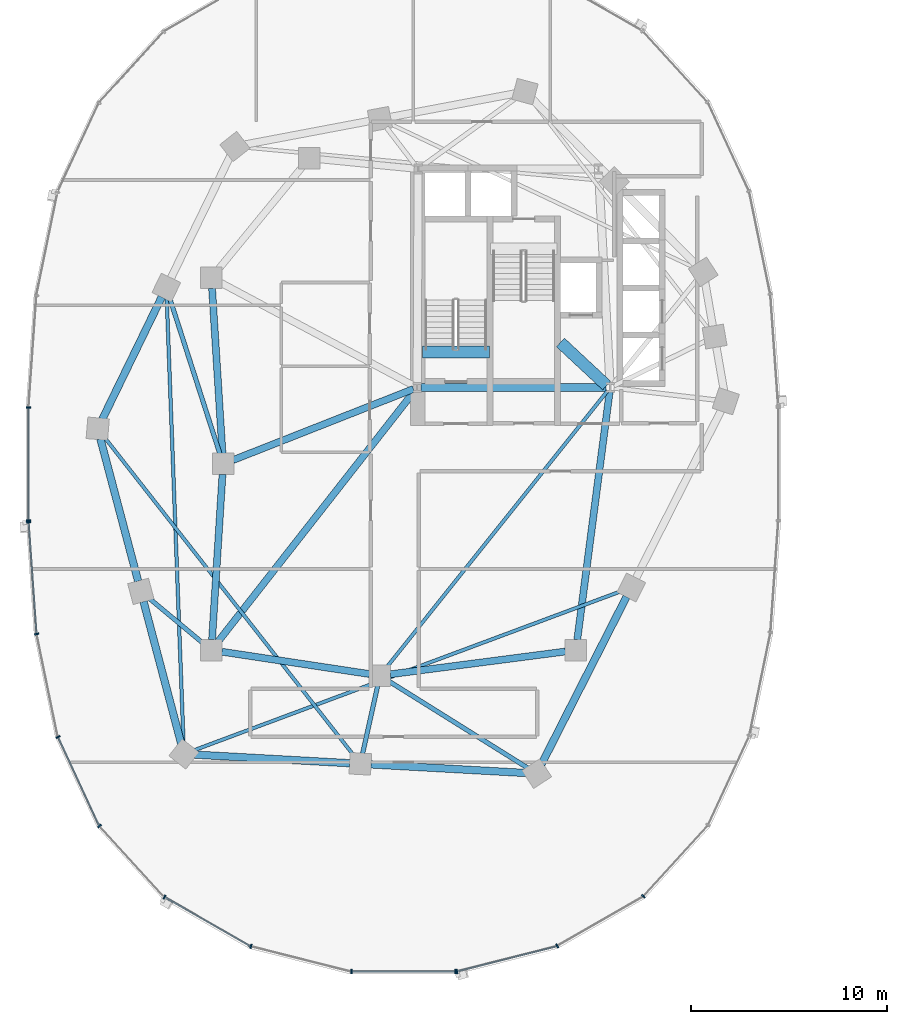
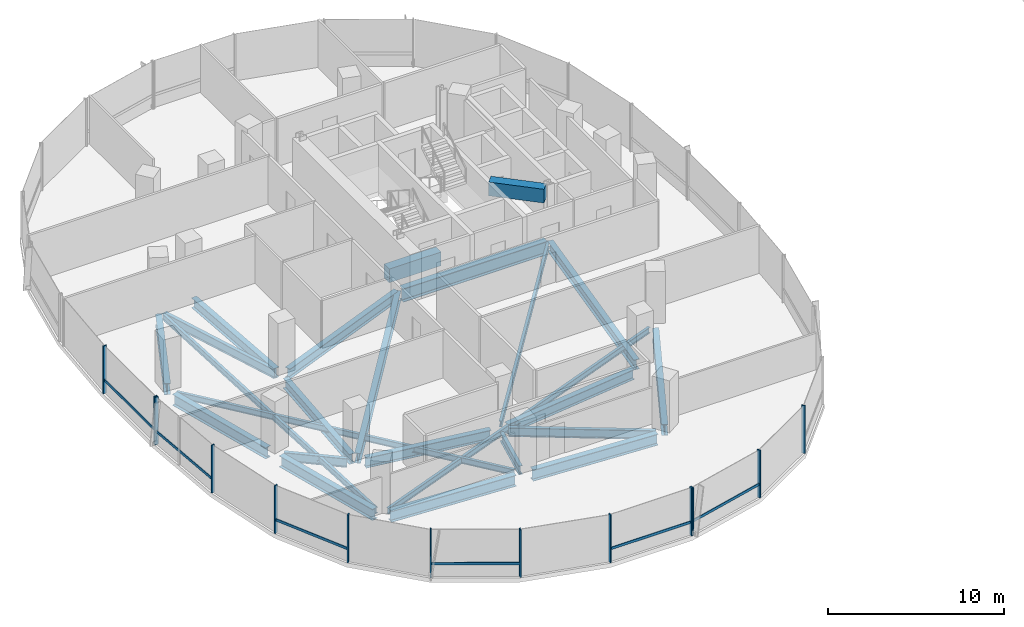
# One storey, part 2 of 21: 24 beams, 19 members, 3 elements without a shape of their own.
"""IFC4 building model written with IfcOpenShell, lengths in metres."""

from ifc_helpers import new_model, si_unit, direction, frame, origin, origin_2d, place, context, subcontext, project, spatial, rectangle, i_section, extrude, material, material_profile, profile_set, type_object, element, aggregate, save


model = new_model("IFC4")

# Units and contexts
model_context = context("Model", 3, precision=1e-05, world=origin(), true_north=direction((0.0, 1.0)))
body_context = subcontext(model_context, "Body", "Model", "MODEL_VIEW")
ifc_project = project(units=[si_unit("LENGTHUNIT", "METRE"), si_unit("AREAUNIT", "SQUARE_METRE"), si_unit("VOLUMEUNIT", "CUBIC_METRE"), si_unit("PLANEANGLEUNIT", "RADIAN"), si_unit("MASSUNIT", "GRAM", prefix="KILO"), si_unit("THERMODYNAMICTEMPERATUREUNIT", "KELVIN"), si_unit("POWERUNIT", "WATT")], contexts=[model_context])

# Site, building, storey
site_placement = place(None, origin())
site = spatial("IfcSite", under=ifc_project, at=site_placement, CompositionType="ELEMENT")
building_placement = place(site_placement, origin())
building = spatial("IfcBuilding", under=site, at=building_placement, Name="Cundina Bronze Exchange", CompositionType="ELEMENT")
storey_placement = place(building_placement, frame((0.0, 0.0, 117.800048828125)))
storey = spatial("IfcBuildingStorey", under=building, at=storey_placement, Name="L30", CompositionType="ELEMENT", Elevation=117.800048828125)

# Beams
ifc_material_1 = material(Name="Concrete C60/75", Category="concrete")
ifc_material_profile_1 = material_profile(ifc_material_1, rectangle(XDim=0.60009765625, YDim=0.949951171875, at=origin_2d()), Name="RC600X950", Category="concrete")
ifc_profile_set_1 = profile_set([ifc_material_profile_1], Name="Concrete C60/75")
beam_type_1 = type_object("IfcBeamType", Name="BM-COUP-RC950", PredefinedType="LINTEL", material=ifc_profile_set_1)
beam_1_placement = place(storey_placement, frame((-31.02001953125, 5.719970703125, -0.47509765625), z_axis=(1.0, 0.0, 0.0), x_axis=(0.0, 1.0, 0.0)))
element("IfcBeam", 1, at=beam_1_placement, inside=storey, type_object=beam_type_1, Name="L30 Stair W1 Landing Header Beam", PredefinedType="LINTEL", context=body_context, shape_type="SweptSolid", body=[
    extrude(rectangle(XDim=0.60009765625, YDim=0.949951171875, at=origin_2d()), origin(), (0.0, 0.0, 1.0), 3.39990234375),
])
beam_2_placement = place(storey_placement, frame((-23.989990234375, 6.199951171875, 2.824951171875), z_axis=(0.731490439815, -0.681851696822, 0.0), x_axis=(0.681851696822, 0.731490439815, 0.0)))
element("IfcBeam", 2, at=beam_2_placement, inside=storey, type_object=beam_type_1, Name="L30 W Core Shear Coupling Lintel Beam", PredefinedType="LINTEL", context=body_context, shape_type="SweptSolid", body=[
    extrude(rectangle(XDim=0.60009765625, YDim=0.949951171875, at=origin_2d()), origin(), (0.0, 0.0, 1.0), 3.226318359375),
])
ifc_material_2 = material(Name="Steel ASTM A992 Grade 50", Category="steel")
ifc_material_profile_2 = material_profile(ifc_material_2, i_section(OverallWidth=0.22998046875, OverallDepth=0.616943359375, WebThickness=0.01318359375, FlangeThickness=0.022216796875, FilletRadius=0.013916015625, at=origin_2d()), Name="W24X94", Category="steel")
ifc_profile_set_2 = profile_set([ifc_material_profile_2], Name="Steel ASTM A992 Grade 50")
beam_type_2 = type_object("IfcBeamType", Name="BM-FLR-W24B", PredefinedType="BEAM", material=ifc_profile_set_2)
beam_3_placement = place(storey_placement, frame((-41.364990234375, 0.51220703125, -0.608642578125), z_axis=(-0.306710777581, 0.951802762612, 0.0), x_axis=(-0.951802762612, -0.306710777581, 0.0)))
element("IfcBeam", 3, at=beam_3_placement, inside=storey, type_object=beam_type_2, Name="L30 Leg W Radial Floor Beam 07", PredefinedType="BEAM", context=body_context, shape_type="SweptSolid", body=[
    extrude(i_section(OverallWidth=0.22998046875, OverallDepth=0.616943359375, WebThickness=0.01318359375, FlangeThickness=0.022216796875, FilletRadius=0.013916015625, at=origin_2d()), origin(), (0.0, 0.0, 1.0), 8.37939453125),
])
beam_4_placement = place(storey_placement, frame((-42.21337890625, -9.155517578125, -0.608642578125), z_axis=(-0.768243451945, 0.640157791911, 0.0), x_axis=(-0.640157791911, -0.768243451945, 0.0)))
element("IfcBeam", 4, at=beam_4_placement, inside=storey, type_object=beam_type_2, Name="L30 Leg W Radial Floor Beam 09", PredefinedType="BEAM", context=body_context, shape_type="SweptSolid", body=[
    extrude(i_section(OverallWidth=0.22998046875, OverallDepth=0.616943359375, WebThickness=0.01318359375, FlangeThickness=0.022216796875, FilletRadius=0.013916015625, at=origin_2d()), origin(), (0.0, 0.0, 1.0), 3.610107421875),
])
beam_5_placement = place(storey_placement, frame((-33.316650390625, -11.3251953125, -0.608642578125), z_axis=(-0.216930457819, -0.976187060184, 0.0), x_axis=(0.976187060184, -0.216930457819, 0.0)))
element("IfcBeam", 5, at=beam_5_placement, inside=storey, type_object=beam_type_2, Name="L30 Leg W Radial Floor Beam 11", PredefinedType="BEAM", context=body_context, shape_type="SweptSolid", body=[
    extrude(i_section(OverallWidth=0.22998046875, OverallDepth=0.616943359375, WebThickness=0.01318359375, FlangeThickness=0.022216796875, FilletRadius=0.013916015625, at=origin_2d()), origin(), (0.0, 0.0, 1.0), 3.533935546875),
])
beam_6_placement = place(storey_placement, frame((-32.743896484375, -11.085205078125, -0.608642578125), z_axis=(0.848003227047, -0.529991063055, 0.0), x_axis=(0.529991063055, 0.848003227047, 0.0)))
element("IfcBeam", 6, at=beam_6_placement, inside=storey, type_object=beam_type_2, Name="L30 Leg W Radial Floor Beam 12", PredefinedType="BEAM", context=body_context, shape_type="SweptSolid", body=[
    extrude(i_section(OverallWidth=0.22998046875, OverallDepth=0.616943359375, WebThickness=0.01318359375, FlangeThickness=0.022216796875, FilletRadius=0.013916015625, at=origin_2d()), origin(), (0.0, 0.0, 1.0), 8.358154296875),
])
ifc_material_profile_3 = material_profile(ifc_material_2, i_section(OverallWidth=0.178955078125, OverallDepth=0.409912109375, WebThickness=0.0087890625, FlangeThickness=0.014404296875, FilletRadius=0.010986328125, at=origin_2d()), Name="W16X45", Category="steel")
ifc_profile_set_3 = profile_set([ifc_material_profile_3], Name="Steel ASTM A992 Grade 50")
beam_type_3 = type_object("IfcBeamType", Name="BM-JST-W16", PredefinedType="JOIST", material=ifc_profile_set_3)
beam_7_placement = place(storey_placement, frame((-21.577392578125, 3.740478515625, -0.505126953125), z_axis=(-0.62436887964, -0.781129632095, 0.0), x_axis=(0.781129632095, -0.62436887964, 0.0)))
element("IfcBeam", 7, at=beam_7_placement, inside=storey, type_object=beam_type_3, Name="L30 W Interior Core-to-Ring Joist 2", PredefinedType="JOIST", context=body_context, shape_type="SweptSolid", body=[
    extrude(i_section(OverallWidth=0.178955078125, OverallDepth=0.409912109375, WebThickness=0.0087890625, FlangeThickness=0.014404296875, FilletRadius=0.010986328125, at=origin_2d()), origin(), (0.0, 0.0, 1.0), 18.076904296875),
])
beam_8_placement = place(storey_placement, frame((-44.07958984375, 8.46240234375, -0.505126953125), z_axis=(0.03778951385, -0.999285721224, 0.0), x_axis=(0.999285721224, 0.03778951385, 0.0)))
element("IfcBeam", 8, at=beam_8_placement, inside=storey, type_object=beam_type_3, Name="L30 Leg W Lobe Floor Joist 07-10", PredefinedType="JOIST", context=body_context, shape_type="SweptSolid", body=[
    extrude(i_section(OverallWidth=0.178955078125, OverallDepth=0.409912109375, WebThickness=0.0087890625, FlangeThickness=0.014404296875, FilletRadius=0.010986328125, at=origin_2d()), origin(), (0.0, 0.0, 1.0), 22.7412109375),
])
beam_9_placement = place(storey_placement, frame((-47.268310546875, 1.37646484375, -0.505126953125), z_axis=(0.616815348306, -0.787107887201, 0.0), x_axis=(0.787107887201, 0.616815348306, 0.0)))
element("IfcBeam", 9, at=beam_9_placement, inside=storey, type_object=beam_type_3, Name="L30 Leg W Lobe Floor Joist 08-11", PredefinedType="JOIST", context=body_context, shape_type="SweptSolid", body=[
    extrude(i_section(OverallWidth=0.178955078125, OverallDepth=0.409912109375, WebThickness=0.0087890625, FlangeThickness=0.014404296875, FilletRadius=0.010986328125, at=origin_2d()), origin(), (0.0, 0.0, 1.0), 20.64892578125),
])
beam_10_placement = place(storey_placement, frame((-42.69580078125, -14.6123046875, -0.505126953125), z_axis=(0.937127917421, 0.348986054721, 0.0), x_axis=(-0.348986054721, 0.937127917421, 0.0)))
element("IfcBeam", 10, at=beam_10_placement, inside=storey, type_object=beam_type_3, Name="L30 Leg W Lobe Floor Joist 10-13", PredefinedType="JOIST", context=body_context, shape_type="SweptSolid", body=[
    extrude(i_section(OverallWidth=0.178955078125, OverallDepth=0.409912109375, WebThickness=0.0087890625, FlangeThickness=0.014404296875, FilletRadius=0.010986328125, at=origin_2d()), origin(), (0.0, 0.0, 1.0), 23.2802734375),
])
ifc_material_profile_4 = material_profile(ifc_material_2, i_section(OverallWidth=0.35498046875, OverallDepth=0.695068359375, WebThickness=0.015380859375, FlangeThickness=0.02490234375, FilletRadius=0.01806640625, at=origin_2d()), Name="W27X146", Category="steel")
ifc_profile_set_4 = profile_set([ifc_material_profile_4], Name="Steel ASTM A992 Grade 50")
beam_type_4 = type_object("IfcBeamType", Name="BM-RING-W27", PredefinedType="USERDEFINED", material=ifc_profile_set_4)
for number, where, z_axis, x_axis, name in (
    (11, (-41.76611328125, 8.963134765625, -0.6474609375), (0.06303715519, -0.998011180832, 0.0), (0.998011180832, 0.06303715519, 0.0), "L30 W Inner Structural Ring Girder 03"),
    (12, (-41.23388671875, -0.536865234375, -0.6474609375), (-0.06303715519, -0.998011180832, 0.0), (0.998011180832, -0.06303715519, 0.0), "L30 W Inner Structural Ring Girder 04"),
):
    element("IfcBeam", number, at=place(storey_placement, frame(where, z_axis=z_axis, x_axis=x_axis)), inside=storey, type_object=beam_type_4, Name=name, ObjectType="GIRDER", PredefinedType="USERDEFINED", context=body_context, shape_type="SweptSolid", body=[
        extrude(i_section(OverallWidth=0.35498046875, OverallDepth=0.695068359375, WebThickness=0.015380859375, FlangeThickness=0.02490234375, FilletRadius=0.01806640625, at=origin_2d()), origin(), (0.0, 0.0, 1.0), 8.443115234375),
    ])
beam_11_placement = place(storey_placement, frame((-41.26806640625, -9.580322265625, -0.6474609375), z_axis=(0.988767489563, -0.149461873341, 0.0), x_axis=(0.149461873341, 0.988767489563, 0.0)))
element("IfcBeam", 13, at=beam_11_placement, inside=storey, type_object=beam_type_4, Name="L30 W Inner Structural Ring Girder 05", ObjectType="GIRDER", PredefinedType="USERDEFINED", context=body_context, shape_type="SweptSolid", body=[
    extrude(i_section(OverallWidth=0.35498046875, OverallDepth=0.695068359375, WebThickness=0.015380859375, FlangeThickness=0.02490234375, FilletRadius=0.01806640625, at=origin_2d()), origin(), (0.0, 0.0, 1.0), 7.621826171875),
])
beam_12_placement = place(storey_placement, frame((-32.66650390625, -10.730712890625, -0.6474609375), z_axis=(0.991654577907, 0.128923225666, 0.0), x_axis=(-0.128923225666, 0.991654577907, 0.0)))
element("IfcBeam", 14, at=beam_12_placement, inside=storey, type_object=beam_type_4, Name="L30 W Inner Structural Ring Girder 06", ObjectType="GIRDER", PredefinedType="USERDEFINED", context=body_context, shape_type="SweptSolid", body=[
    extrude(i_section(OverallWidth=0.35498046875, OverallDepth=0.695068359375, WebThickness=0.015380859375, FlangeThickness=0.02490234375, FilletRadius=0.01806640625, at=origin_2d()), origin(), (0.0, 0.0, 1.0), 9.00830078125),
])
beam_13_placement = place(storey_placement, frame((-23.13037109375, -8.966552734375, -0.6474609375), z_axis=(0.129507526533, 0.99157843894, 0.0), x_axis=(-0.99157843894, 0.129507526533, 0.0)))
element("IfcBeam", 15, at=beam_13_placement, inside=storey, type_object=beam_type_4, Name="L30 W Inner Structural Ring Girder 07", ObjectType="GIRDER", PredefinedType="USERDEFINED", context=body_context, shape_type="SweptSolid", body=[
    extrude(i_section(OverallWidth=0.35498046875, OverallDepth=0.695068359375, WebThickness=0.015380859375, FlangeThickness=0.02490234375, FilletRadius=0.01806640625, at=origin_2d()), origin(), (0.0, 0.0, 1.0), 12.77197265625),
])
beam_14_placement = place(storey_placement, frame((-31.48974609375, 3.8251953125, -0.6474609375), z_axis=(-0.930413235418, -0.366512225388, 0.0), x_axis=(0.366512225388, -0.930413235418, 0.0)))
element("IfcBeam", 16, at=beam_14_placement, inside=storey, type_object=beam_type_4, Name="L30 W Core-to-Waist Tie Beam 1", ObjectType="GIRDER", PredefinedType="USERDEFINED", context=body_context, shape_type="SweptSolid", body=[
    extrude(i_section(OverallWidth=0.35498046875, OverallDepth=0.695068359375, WebThickness=0.015380859375, FlangeThickness=0.02490234375, FilletRadius=0.01806640625, at=origin_2d()), origin(), (0.0, 0.0, 1.0), 9.8984375),
])
beam_15_placement = place(storey_placement, frame((-31.42578125, 3.739501953125, -0.6474609375), z_axis=(-0.616789275748, -0.787128318206, 0.0), x_axis=(0.787128318206, -0.616789275748, 0.0)))
element("IfcBeam", 17, at=beam_15_placement, inside=storey, type_object=beam_type_4, Name="L30 W Core-to-Waist Tie Beam 3", ObjectType="GIRDER", PredefinedType="USERDEFINED", context=body_context, shape_type="SweptSolid", body=[
    extrude(i_section(OverallWidth=0.35498046875, OverallDepth=0.695068359375, WebThickness=0.015380859375, FlangeThickness=0.02490234375, FilletRadius=0.01806640625, at=origin_2d()), origin(), (0.0, 0.0, 1.0), 16.281982421875),
])
ifc_material_profile_5 = material_profile(ifc_material_2, i_section(OverallWidth=0.381103515625, OverallDepth=0.77294921875, WebThickness=0.0166015625, FlangeThickness=0.027099609375, FilletRadius=0.01904296875, at=origin_2d()), Name="W30X173", Category="steel")
ifc_profile_set_5 = profile_set([ifc_material_profile_5], Name="Steel ASTM A992 Grade 50")
beam_type_5 = type_object("IfcBeamType", Name="BM-RING-W30", PredefinedType="USERDEFINED", material=ifc_profile_set_5)
beam_16_placement = place(storey_placement, frame((-44.335205078125, 8.51611328125, -0.6865234375), z_axis=(-0.437193894283, -0.899367276924, 0.0), x_axis=(0.899367276924, -0.437193894283, 0.0)))
element("IfcBeam", 18, at=beam_16_placement, inside=storey, type_object=beam_type_5, Name="L30 W Perimeter Ring Girder 07", ObjectType="GIRDER", PredefinedType="USERDEFINED", context=body_context, shape_type="SweptSolid", body=[
    extrude(i_section(OverallWidth=0.381103515625, OverallDepth=0.77294921875, WebThickness=0.0166015625, FlangeThickness=0.027099609375, FilletRadius=0.01904296875, at=origin_2d()), origin(), (0.0, 0.0, 1.0), 6.929443359375),
])
for number, where, z_axis, x_axis, name in (
    (19, (-47.462158203125, 1.280029296875, -0.6865234375), (0.256209719931, -0.966621218168, 0.0), (0.966621218168, 0.256209719931, 0.0), "L30 W Perimeter Ring Girder 08"),
    (20, (-45.26220703125, -7.02001953125, -0.6865234375), (0.256209719931, -0.966621218168, 0.0), (0.966621218168, 0.256209719931, 0.0), "L30 W Perimeter Ring Girder 09"),
):
    element("IfcBeam", number, at=place(storey_placement, frame(where, z_axis=z_axis, x_axis=x_axis)), inside=storey, type_object=beam_type_5, Name=name, ObjectType="GIRDER", PredefinedType="USERDEFINED", context=body_context, shape_type="SweptSolid", body=[
        extrude(i_section(OverallWidth=0.381103515625, OverallDepth=0.77294921875, WebThickness=0.0166015625, FlangeThickness=0.027099609375, FilletRadius=0.01904296875, at=origin_2d()), origin(), (0.0, 0.0, 1.0), 7.5107421875),
    ])
for number, where, z_axis, x_axis, name in (
    (21, (-42.662841796875, -14.829833984375, -0.6865234375), (0.99845950136, -0.055485350721, 0.0), (0.055485350721, 0.99845950136, 0.0), "L30 W Perimeter Ring Girder 10"),
    (22, (-33.662841796875, -15.329833984375, -0.6865234375), (0.99845950136, -0.055485350721, 0.0), (0.055485350721, 0.99845950136, 0.0), "L30 W Perimeter Ring Girder 11"),
):
    element("IfcBeam", number, at=place(storey_placement, frame(where, z_axis=z_axis, x_axis=x_axis)), inside=storey, type_object=beam_type_5, Name=name, ObjectType="GIRDER", PredefinedType="USERDEFINED", context=body_context, shape_type="SweptSolid", body=[
        extrude(i_section(OverallWidth=0.381103515625, OverallDepth=0.77294921875, WebThickness=0.0166015625, FlangeThickness=0.027099609375, FilletRadius=0.01904296875, at=origin_2d()), origin(), (0.0, 0.0, 1.0), 7.937744140625),
    ])
beam_17_placement = place(storey_placement, frame((-24.956298828125, -15.3203125, -0.6865234375), z_axis=(0.452832332744, 0.891595692241, 0.0), x_axis=(-0.891595692241, 0.452832332744, 0.0)))
element("IfcBeam", 23, at=beam_17_placement, inside=storey, type_object=beam_type_5, Name="L30 W Perimeter Ring Girder 12", ObjectType="GIRDER", PredefinedType="USERDEFINED", context=body_context, shape_type="SweptSolid", body=[
    extrude(i_section(OverallWidth=0.381103515625, OverallDepth=0.77294921875, WebThickness=0.0166015625, FlangeThickness=0.027099609375, FilletRadius=0.01904296875, at=origin_2d()), origin(), (0.0, 0.0, 1.0), 9.578857421875),
])
ifc_material_profile_6 = material_profile(ifc_material_2, i_section(OverallWidth=0.41796875, OverallDepth=0.927001953125, WebThickness=0.019287109375, FlangeThickness=0.031982421875, FilletRadius=0.02392578125, at=origin_2d()), Name="W36X231", Category="steel")
ifc_profile_set_6 = profile_set([ifc_material_profile_6], Name="Steel ASTM A992 Grade 50")
beam_type_6 = type_object("IfcBeamType", Name="BM-WRN-W36B", PredefinedType="USERDEFINED", material=ifc_profile_set_6)
beam_18_placement = place(storey_placement, frame((-31.095947265625, 3.89990234375, -0.763427734375), z_axis=(1.0, 0.0, 0.0), x_axis=(0.0, 1.0, 0.0)))
element("IfcBeam", 24, at=beam_18_placement, inside=storey, type_object=beam_type_6, Name="L30 W Core Perimeter Tie Girder 1", ObjectType="GIRDER", PredefinedType="USERDEFINED", context=body_context, shape_type="SweptSolid", body=[
    extrude(i_section(OverallWidth=0.41796875, OverallDepth=0.927001953125, WebThickness=0.019287109375, FlangeThickness=0.031982421875, FilletRadius=0.02392578125, at=origin_2d()), origin(), (0.0, 0.0, 1.0), 9.44189453125),
])

# Curtain wall, members
ifc_material_3 = material(Name="Anodised Bronze Aluminium 6063-T6", Category="aluminium")
curtain_wall_type = type_object("IfcCurtainWallType", Name="CWS-TRD-MID", PredefinedType="NOTDEFINED", material=ifc_material_3)
curtain_wall_1_placement = place(storey_placement, origin())
curtain_wall_1 = element("IfcCurtainWall", 25, at=curtain_wall_1_placement, inside=storey, type_object=curtain_wall_type, Name="L30 CW-03 Curtain Wall Run CWR-L30-W2", PredefinedType="NOTDEFINED")
ifc_material_profile_7 = material_profile(ifc_material_3, rectangle(XDim=0.074951171875, YDim=0.219970703125, at=origin_2d()), Name="AL75X220", Category="aluminium")
ifc_profile_set_7 = profile_set([ifc_material_profile_7], Name="Anodised Bronze Aluminium 6063-T6")
member_type_1 = type_object("IfcMemberType", Name="CWM-MUL-220", PredefinedType="MULLION", material=ifc_profile_set_7)
member_1_placement = place(storey_placement, frame((-51.1279296875, 2.880615234375, 0.0), z_axis=(0.0, 0.0, 1.0), x_axis=(0.0, -1.0, 0.0)))
member_1 = element("IfcMember", 26, at=member_1_placement, type_object=member_type_1, Name="CW-03 Mullion 7", PredefinedType="MULLION", context=body_context, shape_type="SweptSolid", body=[
    extrude(rectangle(XDim=0.074951171875, YDim=0.219970703125, at=origin_2d()), origin(), (0.0, 0.0, 1.0), 3.300048828125),
])
member_2_placement = place(storey_placement, frame((-51.1279296875, -2.880615234375, 0.0), z_axis=(0.0, 0.0, 1.0), x_axis=(0.0, -1.0, 0.0)))
member_2 = element("IfcMember", 27, at=member_2_placement, type_object=member_type_1, Name="CW-03 End Mullion", PredefinedType="MULLION", context=body_context, shape_type="SweptSolid", body=[
    extrude(rectangle(XDim=0.074951171875, YDim=0.219970703125, at=origin_2d()), origin(), (0.0, 0.0, 1.0), 3.300048828125),
])

curtain_wall_2_placement = place(storey_placement, origin())
curtain_wall_2 = element("IfcCurtainWall", 28, at=curtain_wall_2_placement, inside=storey, type_object=curtain_wall_type, Name="L30 CW-03 Curtain Wall Run CWR-L30-W3", PredefinedType="NOTDEFINED")
member_3_placement = place(storey_placement, frame((-51.12451171875, -2.976318359375, 0.0), z_axis=(0.0, 0.0, 1.0), x_axis=(0.070278787473, -0.997527389113, 0.0)))
member_3 = element("IfcMember", 29, at=member_3_placement, type_object=member_type_1, Name="CW-03 Mullion 1", PredefinedType="MULLION", context=body_context, shape_type="SweptSolid", body=[
    extrude(rectangle(XDim=0.074951171875, YDim=0.219970703125, at=origin_2d()), origin(), (0.0, 0.0, 1.0), 3.300048828125),
])
member_4_placement = place(storey_placement, frame((-50.717041015625, -8.67822265625, 0.0), z_axis=(0.0, 0.0, 1.0), x_axis=(0.201419845156, -0.979505000486, 0.0)))
member_4 = element("IfcMember", 30, at=member_4_placement, type_object=member_type_1, Name="CW-03 Mullion 2", PredefinedType="MULLION", context=body_context, shape_type="SweptSolid", body=[
    extrude(rectangle(XDim=0.074951171875, YDim=0.219970703125, at=origin_2d()), origin(), (0.0, 0.0, 1.0), 3.300048828125),
])
member_5_placement = place(storey_placement, frame((-49.6279296875, -13.931884765625, 0.0), z_axis=(0.0, 0.0, 1.0), x_axis=(0.42087749791, -0.907117485088, 0.0)))
member_5 = element("IfcMember", 31, at=member_5_placement, type_object=member_type_1, Name="CW-03 Mullion 3", PredefinedType="MULLION", context=body_context, shape_type="SweptSolid", body=[
    extrude(rectangle(XDim=0.074951171875, YDim=0.219970703125, at=origin_2d()), origin(), (0.0, 0.0, 1.0), 3.300048828125),
])
member_6_placement = place(storey_placement, frame((-47.508544921875, -18.47705078125, 0.0), z_axis=(0.0, 0.0, 1.0), x_axis=(0.674302387584, -0.738455340626, 0.0)))
member_6 = element("IfcMember", 32, at=member_6_placement, type_object=member_type_1, Name="CW-03 Mullion 4", PredefinedType="MULLION", context=body_context, shape_type="SweptSolid", body=[
    extrude(rectangle(XDim=0.074951171875, YDim=0.219970703125, at=origin_2d()), origin(), (0.0, 0.0, 1.0), 3.300048828125),
])
member_7_placement = place(storey_placement, frame((-44.189697265625, -22.097412109375, 0.0), z_axis=(0.0, 0.0, 1.0), x_axis=(0.867070701164, -0.498185105339, 0.0)))
member_7 = element("IfcMember", 33, at=member_7_placement, type_object=member_type_1, Name="CW-03 Mullion 5", PredefinedType="MULLION", context=body_context, shape_type="SweptSolid", body=[
    extrude(rectangle(XDim=0.074951171875, YDim=0.219970703125, at=origin_2d()), origin(), (0.0, 0.0, 1.0), 3.300048828125),
])
member_8_placement = place(storey_placement, frame((-39.78515625, -24.61669921875, 0.0), z_axis=(0.0, 0.0, 1.0), x_axis=(0.969488149345, -0.245138182011, 0.0)))
member_8 = element("IfcMember", 34, at=member_8_placement, type_object=member_type_1, Name="CW-03 Mullion 6", PredefinedType="MULLION", context=body_context, shape_type="SweptSolid", body=[
    extrude(rectangle(XDim=0.074951171875, YDim=0.219970703125, at=origin_2d()), origin(), (0.0, 0.0, 1.0), 3.300048828125),
])
member_9_placement = place(storey_placement, frame((-34.654541015625, -25.905029296875, 0.0), z_axis=(0.0, 0.0, 1.0), x_axis=(1.0, 0.0, 0.0)))
member_9 = element("IfcMember", 35, at=member_9_placement, type_object=member_type_1, Name="CW-03 Mullion 7", PredefinedType="MULLION", context=body_context, shape_type="SweptSolid", body=[
    extrude(rectangle(XDim=0.074951171875, YDim=0.219970703125, at=origin_2d()), origin(), (0.0, 0.0, 1.0), 3.300048828125),
])
member_10_placement = place(storey_placement, frame((-29.345458984375, -25.905029296875, 0.0), z_axis=(0.0, 0.0, 1.0), x_axis=(1.0, 0.0, 0.0)))
member_10 = element("IfcMember", 36, at=member_10_placement, type_object=member_type_1, Name="CW-03 End Mullion", PredefinedType="MULLION", context=body_context, shape_type="SweptSolid", body=[
    extrude(rectangle(XDim=0.074951171875, YDim=0.219970703125, at=origin_2d()), origin(), (0.0, 0.0, 1.0), 3.300048828125),
])

curtain_wall_3_placement = place(storey_placement, origin())
curtain_wall_3 = element("IfcCurtainWall", 37, at=curtain_wall_3_placement, inside=storey, type_object=curtain_wall_type, Name="L30 CW-03 Curtain Wall Run CWR-L30-W4", PredefinedType="NOTDEFINED")
member_11_placement = place(storey_placement, frame((-29.27392578125, -25.89599609375, 0.0), z_axis=(0.0, 0.0, 1.0), x_axis=(0.969488149345, 0.245138182011, 0.0)))
member_11 = element("IfcMember", 38, at=member_11_placement, type_object=member_type_1, Name="CW-03 Mullion 1", PredefinedType="MULLION", context=body_context, shape_type="SweptSolid", body=[
    extrude(rectangle(XDim=0.074951171875, YDim=0.219970703125, at=origin_2d()), origin(), (0.0, 0.0, 1.0), 3.300048828125),
])
member_12_placement = place(storey_placement, frame((-24.151123046875, -24.591064453125, 0.0), z_axis=(0.0, 0.0, 1.0), x_axis=(0.867070701164, 0.498185105339, 0.0)))
member_12 = element("IfcMember", 39, at=member_12_placement, type_object=member_type_1, Name="CW-03 Mullion 2", PredefinedType="MULLION", context=body_context, shape_type="SweptSolid", body=[
    extrude(rectangle(XDim=0.074951171875, YDim=0.219970703125, at=origin_2d()), origin(), (0.0, 0.0, 1.0), 3.300048828125),
])
member_13_placement = place(storey_placement, frame((-19.760498046875, -22.0576171875, 0.0), z_axis=(0.0, 0.0, 1.0), x_axis=(0.674302387584, 0.738455340626, 0.0)))
member_13 = element("IfcMember", 40, at=member_13_placement, type_object=member_type_1, Name="CW-03 Mullion 3", PredefinedType="MULLION", context=body_context, shape_type="SweptSolid", body=[
    extrude(rectangle(XDim=0.074951171875, YDim=0.219970703125, at=origin_2d()), origin(), (0.0, 0.0, 1.0), 3.300048828125),
])

# Member
ifc_material_profile_8 = material_profile(ifc_material_3, rectangle(XDim=0.070068359375, YDim=0.179931640625, at=origin_2d()), Name="AL70X180", Category="aluminium")
ifc_profile_set_8 = profile_set([ifc_material_profile_8], Name="Anodised Bronze Aluminium 6063-T6")
member_type_2 = type_object("IfcMemberType", Name="CWM-TRN-180", PredefinedType="USERDEFINED", material=ifc_profile_set_8)
member_14_placement = place(storey_placement, frame((-51.1279296875, 2.839111328125, 0.919921875), z_axis=(0.0, -1.0, 0.0), x_axis=(1.0, 0.0, 0.0)))
member_14 = element("IfcMember", 41, at=member_14_placement, type_object=member_type_2, Name="CW-03 Spandrel Transom 7", ObjectType="TRANSOM", PredefinedType="USERDEFINED", context=body_context, shape_type="SweptSolid", body=[
    extrude(rectangle(XDim=0.070068359375, YDim=0.179931640625, at=origin_2d()), origin(), (0.0, 0.0, 1.0), 5.67822265625),
])

aggregate(curtain_wall_1, [member_1, member_2, member_14])

member_15_placement = place(storey_placement, frame((-51.12158203125, -3.017333984375, 0.919921875), z_axis=(0.070260714471, -0.997528662246, 0.0), x_axis=(0.997528662246, 0.070260714471, 0.0)))
member_15 = element("IfcMember", 42, at=member_15_placement, type_object=member_type_2, Name="CW-03 Spandrel Transom 1", ObjectType="TRANSOM", PredefinedType="USERDEFINED", context=body_context, shape_type="SweptSolid", body=[
    extrude(rectangle(XDim=0.070068359375, YDim=0.179931640625, at=origin_2d()), origin(), (0.0, 0.0, 1.0), 5.629150390625),
])

member_16_placement = place(storey_placement, frame((-49.610595703125, -13.96923828125, 0.919921875), z_axis=(0.420811422796, -0.907148139195, 0.0), x_axis=(0.907148139195, 0.420811422796, 0.0)))
member_16 = element("IfcMember", 43, at=member_16_placement, type_object=member_type_2, Name="CW-03 Spandrel Transom 3", ObjectType="TRANSOM", PredefinedType="USERDEFINED", context=body_context, shape_type="SweptSolid", body=[
    extrude(rectangle(XDim=0.070068359375, YDim=0.179931640625, at=origin_2d()), origin(), (0.0, 0.0, 1.0), 4.95166015625),
])

member_17_placement = place(storey_placement, frame((-44.154052734375, -22.117919921875, 0.919921875), z_axis=(0.867097475651, -0.498138502546, 0.0), x_axis=(0.498138502546, 0.867097475651, 0.0)))
member_17 = element("IfcMember", 44, at=member_17_placement, type_object=member_type_2, Name="CW-03 Spandrel Transom 5", ObjectType="TRANSOM", PredefinedType="USERDEFINED", context=body_context, shape_type="SweptSolid", body=[
    extrude(rectangle(XDim=0.070068359375, YDim=0.179931640625, at=origin_2d()), origin(), (0.0, 0.0, 1.0), 5.00634765625),
])

member_18_placement = place(storey_placement, frame((-34.61328125, -25.905029296875, 0.919921875), z_axis=(1.0, 0.0, 0.0), x_axis=(0.0, 1.0, 0.0)))
member_18 = element("IfcMember", 45, at=member_18_placement, type_object=member_type_2, Name="CW-03 Spandrel Transom 7", ObjectType="TRANSOM", PredefinedType="USERDEFINED", context=body_context, shape_type="SweptSolid", body=[
    extrude(rectangle(XDim=0.070068359375, YDim=0.179931640625, at=origin_2d()), origin(), (0.0, 0.0, 1.0), 5.2265625),
])

aggregate(curtain_wall_2, [member_3, member_15, member_4, member_5, member_16, member_6, member_7, member_17, member_8, member_9, member_10, member_18])

member_19_placement = place(storey_placement, frame((-29.23388671875, -25.885986328125, 0.919921875), z_axis=(0.969483968866, 0.245154714644, 0.0), x_axis=(-0.245154714644, 0.969483968866, 0.0)))
member_19 = element("IfcMember", 46, at=member_19_placement, type_object=member_type_2, Name="CW-03 Spandrel Transom 1", ObjectType="TRANSOM", PredefinedType="USERDEFINED", context=body_context, shape_type="SweptSolid", body=[
    extrude(rectangle(XDim=0.070068359375, YDim=0.179931640625, at=origin_2d()), origin(), (0.0, 0.0, 1.0), 5.21826171875),
])

aggregate(curtain_wall_3, [member_11, member_19, member_12, member_13])

save(model, "model.ifc")
